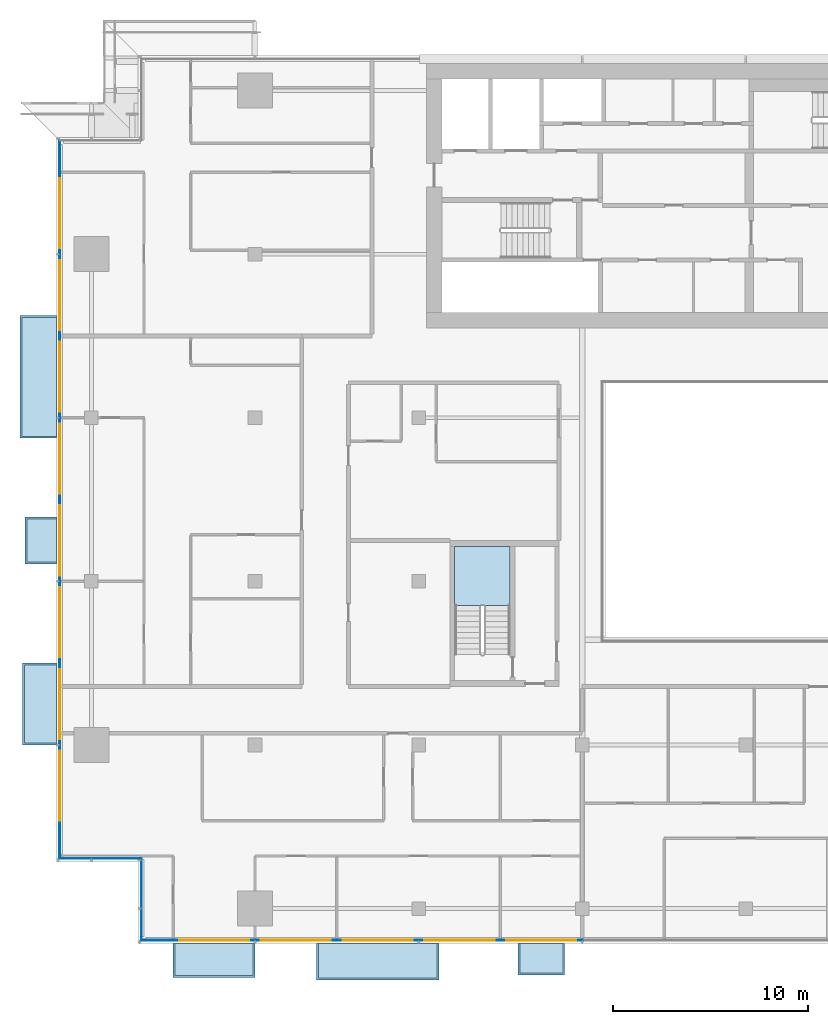
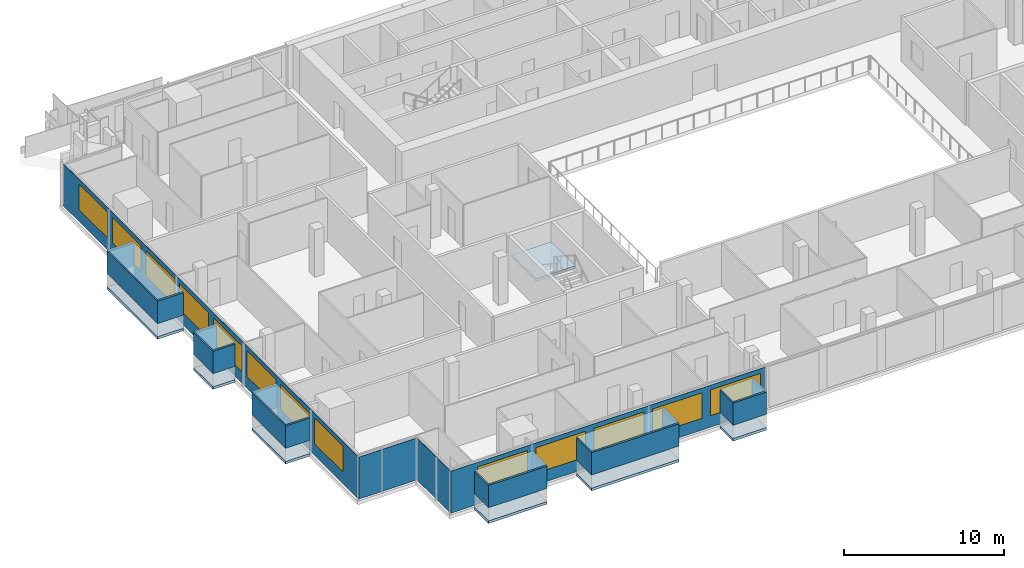
# One storey, part 14 of 30: 16 plates, 13 windows, 7 slabs, 13 openings, 5 elements without a shape of their own.
"""IFC4 building model written with IfcOpenShell, lengths in metres."""

from ifc_helpers import new_model, si_unit, direction, frame, frame_2d, origin, place, context, subcontext, project, spatial, polyline, rectangle, outline, extrude, material, layer, layer_set, type_object, element, fill, aggregate, save


model = new_model("IFC4")

# Units and contexts
model_context = context("Model", 3, precision=1e-05, world=origin(), true_north=direction((0.0, 1.0)))
body_context = subcontext(model_context, "Body", "Model", "MODEL_VIEW")
ifc_project = project(units=[si_unit("LENGTHUNIT", "METRE"), si_unit("AREAUNIT", "SQUARE_METRE"), si_unit("VOLUMEUNIT", "CUBIC_METRE"), si_unit("PLANEANGLEUNIT", "RADIAN"), si_unit("MASSUNIT", "GRAM", prefix="KILO")], contexts=[model_context])

# Site, building, storey
site_placement = place(None, origin())
site = spatial("IfcSite", under=ifc_project, at=site_placement, CompositionType="ELEMENT")
building_placement = place(site_placement, origin())
building = spatial("IfcBuilding", under=site, at=building_placement, Name="Saffron Gate Tower", CompositionType="ELEMENT")
storey_placement = place(building_placement, frame((0.0, 0.0, 158.25)))
storey = spatial("IfcBuildingStorey", under=building, at=storey_placement, Name="L38", CompositionType="ELEMENT", Elevation=158.25)

# Curtain wall, plate, openings, windows
ifc_material_1 = material(Name="Aluminium, bronze anodised", Category="aluminium")
curtain_wall_type_1 = type_object("IfcCurtainWallType", Name="CWS1 curtain wall front facade", PredefinedType="NOTDEFINED", material=ifc_material_1)
curtain_wall_1_placement = place(storey_placement, origin())
curtain_wall_1 = element("IfcCurtainWall", 1, at=curtain_wall_1_placement, inside=storey, type_object=curtain_wall_type_1, Name="CWS1 run 1", PredefinedType="NOTDEFINED")
ifc_material_2 = material(Name="Fritted bronze-tinted laminated glass", Category="glass")
ifc_layer_1 = layer(ifc_material_2, 0.028076171875)
ifc_layer_set_1 = layer_set([ifc_layer_1], Name="CWS1 fixed glass")
plate_type_1 = type_object("IfcPlateType", Name="CWS1 fixed glass", PredefinedType="CURTAIN_PANEL", material=ifc_layer_set_1)
plate_1_placement = place(storey_placement, frame((52.387939453125, 30.174072265625, 0.0), z_axis=(0.0, 0.0, 1.0), x_axis=(1.0, 0.0, 0.0)))
plate_1 = element("IfcPlate", 2, at=plate_1_placement, type_object=plate_type_1, Name="CWS1 glass panel", PredefinedType="CURTAIN_PANEL", context=body_context, shape_type="SweptSolid", body=[
    extrude(rectangle(XDim=22.64208984375, YDim=0.028076171875, at=frame_2d((11.321044921875, 0.0))), origin(), (0.0, 0.0, 1.0), 3.199951171875),
])
opening_1_placement = place(plate_1_placement, frame((1.912109375, 0.0, 0.89990234375)))
opening_1 = element("IfcOpeningElement", 3, at=opening_1_placement, cuts=plate_1, Name="Opening W1", PredefinedType="OPENING", context=body_context, shape_type="SweptSolid", body=[
    extrude(rectangle(XDim=3.60009765625, YDim=1.949951171875, at=frame_2d((1.800048828125, 0.97509765625))), frame((0.0, 0.02392578125, 0.0), z_axis=(0.0, -1.0, 0.0), x_axis=(1.0, 0.0, 0.0)), (0.0, 0.0, 1.0), 0.048095703125),
])
opening_2_placement = place(plate_1_placement, frame((6.112060546875, 0.0, 0.89990234375)))
opening_2 = element("IfcOpeningElement", 4, at=opening_2_placement, cuts=plate_1, Name="Opening W1", PredefinedType="OPENING", context=body_context, shape_type="SweptSolid", body=[
    extrude(rectangle(XDim=3.60009765625, YDim=1.949951171875, at=frame_2d((1.800048828125, 0.97509765625))), frame((0.0, 0.02392578125, 0.0), z_axis=(0.0, -1.0, 0.0), x_axis=(1.0, 0.0, 0.0)), (0.0, 0.0, 1.0), 0.048095703125),
])
opening_3_placement = place(plate_1_placement, frame((10.31201171875, 0.0, 0.89990234375)))
opening_3 = element("IfcOpeningElement", 5, at=opening_3_placement, cuts=plate_1, Name="Opening W1", PredefinedType="OPENING", context=body_context, shape_type="SweptSolid", body=[
    extrude(rectangle(XDim=3.60009765625, YDim=1.949951171875, at=frame_2d((1.800048828125, 0.97509765625))), frame((0.0, 0.02392578125, 0.0), z_axis=(0.0, -1.0, 0.0), x_axis=(1.0, 0.0, 0.0)), (0.0, 0.0, 1.0), 0.048095703125),
])
opening_4_placement = place(plate_1_placement, frame((14.511962890625, 0.0, 0.89990234375)))
opening_4 = element("IfcOpeningElement", 6, at=opening_4_placement, cuts=plate_1, Name="Opening W1", PredefinedType="OPENING", context=body_context, shape_type="SweptSolid", body=[
    extrude(rectangle(XDim=3.60009765625, YDim=1.949951171875, at=frame_2d((1.800048828125, 0.97509765625))), frame((0.0, 0.02392578125, 0.0), z_axis=(0.0, -1.0, 0.0), x_axis=(1.0, 0.0, 0.0)), (0.0, 0.0, 1.0), 0.048095703125),
])
opening_5_placement = place(plate_1_placement, frame((18.7119140625, 0.0, 0.89990234375)))
opening_5 = element("IfcOpeningElement", 7, at=opening_5_placement, cuts=plate_1, Name="Opening W1", PredefinedType="OPENING", context=body_context, shape_type="SweptSolid", body=[
    extrude(rectangle(XDim=3.60009765625, YDim=1.949951171875, at=frame_2d((1.800048828125, 0.97509765625))), frame((0.0, 0.02392578125, 0.0), z_axis=(0.0, -1.0, 0.0), x_axis=(1.0, 0.0, 0.0)), (0.0, 0.0, 1.0), 0.048095703125),
])
ifc_material_3 = material(Name="Fritted bronze-tinted laminated glass in bronze frame", Category="glass")
ifc_layer_2 = layer(ifc_material_3, 0.06005859375)
ifc_layer_set_2 = layer_set([ifc_layer_2], Name="W1 operable panel 3600x1950")
window_type = type_object("IfcWindowType", Name="W1 operable panel 3600x1950", PartitioningType="DOUBLE_PANEL_HORIZONTAL", PredefinedType="WINDOW", material=ifc_layer_set_2)
window_1_placement = place(opening_1_placement, origin())
window_1 = element("IfcWindow", 8, at=window_1_placement, type_object=window_type, Name="W1 operable panel", OverallHeight=1.949951171875, OverallWidth=3.60009765625, PartitioningType="SINGLE_PANEL", PredefinedType="WINDOW", context=body_context, shape_type="SweptSolid", body=[
    extrude(rectangle(XDim=3.60009765625, YDim=1.949951171875, at=frame_2d((1.800048828125, 0.97509765625))), frame((0.0, 0.013671875, 0.0), z_axis=(0.0, -1.0, 0.0), x_axis=(1.0, 0.0, 0.0)), (0.0, 0.0, 1.0), 0.027587890625),
])
fill(opening_1, window_1)
window_2_placement = place(opening_2_placement, origin())
window_2 = element("IfcWindow", 9, at=window_2_placement, type_object=window_type, Name="W1 operable panel", OverallHeight=1.949951171875, OverallWidth=3.60009765625, PartitioningType="SINGLE_PANEL", PredefinedType="WINDOW", context=body_context, shape_type="SweptSolid", body=[
    extrude(rectangle(XDim=3.60009765625, YDim=1.949951171875, at=frame_2d((1.800048828125, 0.97509765625))), frame((0.0, 0.013671875, 0.0), z_axis=(0.0, -1.0, 0.0), x_axis=(1.0, 0.0, 0.0)), (0.0, 0.0, 1.0), 0.027587890625),
])
fill(opening_2, window_2)
window_3_placement = place(opening_3_placement, origin())
window_3 = element("IfcWindow", 10, at=window_3_placement, type_object=window_type, Name="W1 operable panel", OverallHeight=1.949951171875, OverallWidth=3.60009765625, PartitioningType="SINGLE_PANEL", PredefinedType="WINDOW", context=body_context, shape_type="SweptSolid", body=[
    extrude(rectangle(XDim=3.60009765625, YDim=1.949951171875, at=frame_2d((1.800048828125, 0.97509765625))), frame((0.0, 0.013671875, 0.0), z_axis=(0.0, -1.0, 0.0), x_axis=(1.0, 0.0, 0.0)), (0.0, 0.0, 1.0), 0.027587890625),
])
fill(opening_3, window_3)
window_4_placement = place(opening_4_placement, origin())
window_4 = element("IfcWindow", 11, at=window_4_placement, type_object=window_type, Name="W1 operable panel", OverallHeight=1.949951171875, OverallWidth=3.60009765625, PartitioningType="SINGLE_PANEL", PredefinedType="WINDOW", context=body_context, shape_type="SweptSolid", body=[
    extrude(rectangle(XDim=3.60009765625, YDim=1.949951171875, at=frame_2d((1.800048828125, 0.97509765625))), frame((0.0, 0.013671875, 0.0), z_axis=(0.0, -1.0, 0.0), x_axis=(1.0, 0.0, 0.0)), (0.0, 0.0, 1.0), 0.027587890625),
])
fill(opening_4, window_4)
window_5_placement = place(opening_5_placement, origin())
window_5 = element("IfcWindow", 12, at=window_5_placement, type_object=window_type, Name="W1 operable panel", OverallHeight=1.949951171875, OverallWidth=3.60009765625, PartitioningType="SINGLE_PANEL", PredefinedType="WINDOW", context=body_context, shape_type="SweptSolid", body=[
    extrude(rectangle(XDim=3.60009765625, YDim=1.949951171875, at=frame_2d((1.800048828125, 0.97509765625))), frame((0.0, 0.013671875, 0.0), z_axis=(0.0, -1.0, 0.0), x_axis=(1.0, 0.0, 0.0)), (0.0, 0.0, 1.0), 0.027587890625),
])
fill(opening_5, window_5)
aggregate(curtain_wall_1, [plate_1, window_1, window_2, window_3, window_4, window_5])

curtain_wall_type_2 = type_object("IfcCurtainWallType", Name="CWS2 curtain wall side facades", PredefinedType="NOTDEFINED", material=ifc_material_1)
curtain_wall_2_placement = place(storey_placement, origin())
curtain_wall_2 = element("IfcCurtainWall", 13, at=curtain_wall_2_placement, inside=storey, type_object=curtain_wall_type_2, Name="CWS2 run 10", PredefinedType="NOTDEFINED")
ifc_layer_3 = layer(ifc_material_2, 0.028076171875)
ifc_layer_set_3 = layer_set([ifc_layer_3], Name="CWS2 fixed glass")
plate_type_2 = type_object("IfcPlateType", Name="CWS2 fixed glass", PredefinedType="CURTAIN_PANEL", material=ifc_layer_set_3)
plate_2_placement = place(storey_placement, frame((48.174072265625, 71.2119140625, 0.0), z_axis=(0.0, 0.0, 1.0), x_axis=(0.0, -1.0, 0.0)))
plate_2 = element("IfcPlate", 14, at=plate_2_placement, type_object=plate_type_2, Name="CWS2 glass panel", PredefinedType="CURTAIN_PANEL", context=body_context, shape_type="SweptSolid", body=[
    extrude(rectangle(XDim=36.823974609375, YDim=0.028076171875, at=frame_2d((18.412109375, 0.0))), origin(), (0.0, 0.0, 1.0), 3.199951171875),
])
opening_6_placement = place(plate_2_placement, frame((1.912109375, 0.0, 0.89990234375)))
opening_6 = element("IfcOpeningElement", 15, at=opening_6_placement, cuts=plate_2, Name="Opening W1", PredefinedType="OPENING", context=body_context, shape_type="SweptSolid", body=[
    extrude(rectangle(XDim=3.60009765625, YDim=1.949951171875, at=frame_2d((1.800048828125, 0.97509765625))), frame((0.0, 0.02392578125, 0.0), z_axis=(0.0, -1.0, 0.0), x_axis=(1.0, 0.0, 0.0)), (0.0, 0.0, 1.0), 0.048095703125),
])
opening_7_placement = place(plate_2_placement, frame((6.112060546875, 0.0, 0.89990234375)))
opening_7 = element("IfcOpeningElement", 16, at=opening_7_placement, cuts=plate_2, Name="Opening W1", PredefinedType="OPENING", context=body_context, shape_type="SweptSolid", body=[
    extrude(rectangle(XDim=3.60009765625, YDim=1.949951171875, at=frame_2d((1.800048828125, 0.97509765625))), frame((0.0, 0.02392578125, 0.0), z_axis=(0.0, -1.0, 0.0), x_axis=(1.0, 0.0, 0.0)), (0.0, 0.0, 1.0), 0.048095703125),
])
opening_8_placement = place(plate_2_placement, frame((10.31201171875, 0.0, 0.89990234375)))
opening_8 = element("IfcOpeningElement", 17, at=opening_8_placement, cuts=plate_2, Name="Opening W1", PredefinedType="OPENING", context=body_context, shape_type="SweptSolid", body=[
    extrude(rectangle(XDim=3.60009765625, YDim=1.949951171875, at=frame_2d((1.800048828125, 0.97509765625))), frame((0.0, 0.02392578125, 0.0), z_axis=(0.0, -1.0, 0.0), x_axis=(1.0, 0.0, 0.0)), (0.0, 0.0, 1.0), 0.048095703125),
])
opening_9_placement = place(plate_2_placement, frame((14.511962890625, 0.0, 0.89990234375)))
opening_9 = element("IfcOpeningElement", 18, at=opening_9_placement, cuts=plate_2, Name="Opening W1", PredefinedType="OPENING", context=body_context, shape_type="SweptSolid", body=[
    extrude(rectangle(XDim=3.60009765625, YDim=1.949951171875, at=frame_2d((1.800048828125, 0.97509765625))), frame((0.0, 0.02392578125, 0.0), z_axis=(0.0, -1.0, 0.0), x_axis=(1.0, 0.0, 0.0)), (0.0, 0.0, 1.0), 0.048095703125),
])
opening_10_placement = place(plate_2_placement, frame((18.7119140625, 0.0, 0.89990234375)))
opening_10 = element("IfcOpeningElement", 19, at=opening_10_placement, cuts=plate_2, Name="Opening W1", PredefinedType="OPENING", context=body_context, shape_type="SweptSolid", body=[
    extrude(rectangle(XDim=3.60009765625, YDim=1.949951171875, at=frame_2d((1.800048828125, 0.97509765625))), frame((0.0, 0.02392578125, 0.0), z_axis=(0.0, -1.0, 0.0), x_axis=(1.0, 0.0, 0.0)), (0.0, 0.0, 1.0), 0.048095703125),
])
opening_11_placement = place(plate_2_placement, frame((22.912109375, 0.0, 0.89990234375)))
opening_11 = element("IfcOpeningElement", 20, at=opening_11_placement, cuts=plate_2, Name="Opening W1", PredefinedType="OPENING", context=body_context, shape_type="SweptSolid", body=[
    extrude(rectangle(XDim=3.60009765625, YDim=1.949951171875, at=frame_2d((1.800048828125, 0.97509765625))), frame((0.0, 0.02392578125, 0.0), z_axis=(0.0, -1.0, 0.0), x_axis=(1.0, 0.0, 0.0)), (0.0, 0.0, 1.0), 0.048095703125),
])
opening_12_placement = place(plate_2_placement, frame((27.112060546875, 0.0, 0.89990234375)))
opening_12 = element("IfcOpeningElement", 21, at=opening_12_placement, cuts=plate_2, Name="Opening W1", PredefinedType="OPENING", context=body_context, shape_type="SweptSolid", body=[
    extrude(rectangle(XDim=3.60009765625, YDim=1.949951171875, at=frame_2d((1.800048828125, 0.97509765625))), frame((0.0, 0.02392578125, 0.0), z_axis=(0.0, -1.0, 0.0), x_axis=(1.0, 0.0, 0.0)), (0.0, 0.0, 1.0), 0.048095703125),
])
opening_13_placement = place(plate_2_placement, frame((31.31201171875, 0.0, 0.89990234375)))
opening_13 = element("IfcOpeningElement", 22, at=opening_13_placement, cuts=plate_2, Name="Opening W1", PredefinedType="OPENING", context=body_context, shape_type="SweptSolid", body=[
    extrude(rectangle(XDim=3.60009765625, YDim=1.949951171875, at=frame_2d((1.800048828125, 0.97509765625))), frame((0.0, 0.02392578125, 0.0), z_axis=(0.0, -1.0, 0.0), x_axis=(1.0, 0.0, 0.0)), (0.0, 0.0, 1.0), 0.048095703125),
])
window_6_placement = place(opening_6_placement, origin())
window_6 = element("IfcWindow", 23, at=window_6_placement, type_object=window_type, Name="W1 operable panel", OverallHeight=1.949951171875, OverallWidth=3.60009765625, PartitioningType="SINGLE_PANEL", PredefinedType="WINDOW", context=body_context, shape_type="SweptSolid", body=[
    extrude(rectangle(XDim=3.60009765625, YDim=1.949951171875, at=frame_2d((1.800048828125, 0.97509765625))), frame((0.0, 0.013671875, 0.0), z_axis=(0.0, -1.0, 0.0), x_axis=(1.0, 0.0, 0.0)), (0.0, 0.0, 1.0), 0.027587890625),
])
fill(opening_6, window_6)
window_7_placement = place(opening_7_placement, origin())
window_7 = element("IfcWindow", 24, at=window_7_placement, type_object=window_type, Name="W1 operable panel", OverallHeight=1.949951171875, OverallWidth=3.60009765625, PartitioningType="SINGLE_PANEL", PredefinedType="WINDOW", context=body_context, shape_type="SweptSolid", body=[
    extrude(rectangle(XDim=3.60009765625, YDim=1.949951171875, at=frame_2d((1.800048828125, 0.97509765625))), frame((0.0, 0.013671875, 0.0), z_axis=(0.0, -1.0, 0.0), x_axis=(1.0, 0.0, 0.0)), (0.0, 0.0, 1.0), 0.027587890625),
])
fill(opening_7, window_7)
window_8_placement = place(opening_8_placement, origin())
window_8 = element("IfcWindow", 25, at=window_8_placement, type_object=window_type, Name="W1 operable panel", OverallHeight=1.949951171875, OverallWidth=3.60009765625, PartitioningType="SINGLE_PANEL", PredefinedType="WINDOW", context=body_context, shape_type="SweptSolid", body=[
    extrude(rectangle(XDim=3.60009765625, YDim=1.949951171875, at=frame_2d((1.800048828125, 0.97509765625))), frame((0.0, 0.013671875, 0.0), z_axis=(0.0, -1.0, 0.0), x_axis=(1.0, 0.0, 0.0)), (0.0, 0.0, 1.0), 0.027587890625),
])
fill(opening_8, window_8)
window_9_placement = place(opening_9_placement, origin())
window_9 = element("IfcWindow", 26, at=window_9_placement, type_object=window_type, Name="W1 operable panel", OverallHeight=1.949951171875, OverallWidth=3.60009765625, PartitioningType="SINGLE_PANEL", PredefinedType="WINDOW", context=body_context, shape_type="SweptSolid", body=[
    extrude(rectangle(XDim=3.60009765625, YDim=1.949951171875, at=frame_2d((1.800048828125, 0.97509765625))), frame((0.0, 0.013671875, 0.0), z_axis=(0.0, -1.0, 0.0), x_axis=(1.0, 0.0, 0.0)), (0.0, 0.0, 1.0), 0.027587890625),
])
fill(opening_9, window_9)
window_10_placement = place(opening_10_placement, origin())
window_10 = element("IfcWindow", 27, at=window_10_placement, type_object=window_type, Name="W1 operable panel", OverallHeight=1.949951171875, OverallWidth=3.60009765625, PartitioningType="SINGLE_PANEL", PredefinedType="WINDOW", context=body_context, shape_type="SweptSolid", body=[
    extrude(rectangle(XDim=3.60009765625, YDim=1.949951171875, at=frame_2d((1.800048828125, 0.97509765625))), frame((0.0, 0.013671875, 0.0), z_axis=(0.0, -1.0, 0.0), x_axis=(1.0, 0.0, 0.0)), (0.0, 0.0, 1.0), 0.027587890625),
])
fill(opening_10, window_10)
window_11_placement = place(opening_11_placement, origin())
window_11 = element("IfcWindow", 28, at=window_11_placement, type_object=window_type, Name="W1 operable panel", OverallHeight=1.949951171875, OverallWidth=3.60009765625, PartitioningType="SINGLE_PANEL", PredefinedType="WINDOW", context=body_context, shape_type="SweptSolid", body=[
    extrude(rectangle(XDim=3.60009765625, YDim=1.949951171875, at=frame_2d((1.800048828125, 0.97509765625))), frame((0.0, 0.013671875, 0.0), z_axis=(0.0, -1.0, 0.0), x_axis=(1.0, 0.0, 0.0)), (0.0, 0.0, 1.0), 0.027587890625),
])
fill(opening_11, window_11)
window_12_placement = place(opening_12_placement, origin())
window_12 = element("IfcWindow", 29, at=window_12_placement, type_object=window_type, Name="W1 operable panel", OverallHeight=1.949951171875, OverallWidth=3.60009765625, PartitioningType="SINGLE_PANEL", PredefinedType="WINDOW", context=body_context, shape_type="SweptSolid", body=[
    extrude(rectangle(XDim=3.60009765625, YDim=1.949951171875, at=frame_2d((1.800048828125, 0.97509765625))), frame((0.0, 0.013671875, 0.0), z_axis=(0.0, -1.0, 0.0), x_axis=(1.0, 0.0, 0.0)), (0.0, 0.0, 1.0), 0.027587890625),
])
fill(opening_12, window_12)
window_13_placement = place(opening_13_placement, origin())
window_13 = element("IfcWindow", 30, at=window_13_placement, type_object=window_type, Name="W1 operable panel", OverallHeight=1.949951171875, OverallWidth=3.60009765625, PartitioningType="SINGLE_PANEL", PredefinedType="WINDOW", context=body_context, shape_type="SweptSolid", body=[
    extrude(rectangle(XDim=3.60009765625, YDim=1.949951171875, at=frame_2d((1.800048828125, 0.97509765625))), frame((0.0, 0.013671875, 0.0), z_axis=(0.0, -1.0, 0.0), x_axis=(1.0, 0.0, 0.0)), (0.0, 0.0, 1.0), 0.027587890625),
])
fill(opening_13, window_13)
aggregate(curtain_wall_2, [plate_2, window_6, window_7, window_8, window_9, window_10, window_11, window_12, window_13])

# Curtain wall, plate
curtain_wall_type_3 = type_object("IfcCurtainWallType", Name="CWS4 curtain wall corner returns", PredefinedType="NOTDEFINED", material=ifc_material_1)
curtain_wall_3_placement = place(storey_placement, origin())
curtain_wall_3 = element("IfcCurtainWall", 31, at=curtain_wall_3_placement, inside=storey, type_object=curtain_wall_type_3, Name="CWS4 run 11", PredefinedType="NOTDEFINED")
ifc_layer_4 = layer(ifc_material_2, 0.028076171875)
ifc_layer_set_4 = layer_set([ifc_layer_4], Name="CWS4 fixed glass")
plate_type_3 = type_object("IfcPlateType", Name="CWS4 fixed glass", PredefinedType="CURTAIN_PANEL", material=ifc_layer_set_4)
plate_3_placement = place(storey_placement, frame((48.18798828125, 34.3740234375, 0.0), z_axis=(0.0, 0.0, 1.0), x_axis=(1.0, 0.0, 0.0)))
plate_3 = element("IfcPlate", 32, at=plate_3_placement, type_object=plate_type_3, Name="CWS4 glass panel", PredefinedType="CURTAIN_PANEL", context=body_context, shape_type="SweptSolid", body=[
    extrude(rectangle(XDim=4.172119140625, YDim=0.028076171875, at=frame_2d((2.0859375, 0.0))), origin(), (0.0, 0.0, 1.0), 3.199951171875),
])
aggregate(curtain_wall_3, [plate_3])

curtain_wall_4_placement = place(storey_placement, origin())
curtain_wall_4 = element("IfcCurtainWall", 33, at=curtain_wall_4_placement, inside=storey, type_object=curtain_wall_type_3, Name="CWS4 run 12", PredefinedType="NOTDEFINED")
plate_4_placement = place(storey_placement, frame((52.3740234375, 34.360107421875, 0.0), z_axis=(0.0, 0.0, 1.0), x_axis=(0.0, -1.0, 0.0)))
plate_4 = element("IfcPlate", 34, at=plate_4_placement, type_object=plate_type_3, Name="CWS4 glass panel", PredefinedType="CURTAIN_PANEL", context=body_context, shape_type="SweptSolid", body=[
    extrude(rectangle(XDim=4.172119140625, YDim=0.028076171875, at=frame_2d((2.0859375, 0.0))), origin(), (0.0, 0.0, 1.0), 3.199951171875),
])
aggregate(curtain_wall_4, [plate_4])

# Stair, slab
ifc_material_4 = material(Name="Concrete C40", Category="concrete")
stair_type = type_object("IfcStairType", Name="ST7 Stair 1350 wide, 20 risers of 180", PredefinedType="HALF_TURN_STAIR", material=ifc_material_4)
stair_placement = place(storey_placement, origin())
stair = element("IfcStair", 35, at=stair_placement, inside=storey, type_object=stair_type, Name="L38 Exit stair D", PredefinedType="HALF_TURN_STAIR")
ifc_layer_5 = layer(ifc_material_4, 0.199951171875)
ifc_layer_set_5 = layer_set([ifc_layer_5], Name="SL1 Stair landing 200")
slab_type_1 = type_object("IfcSlabType", Name="SL1 Stair landing 200", PredefinedType="LANDING", material=ifc_layer_set_5)
slab_1_placement = place(storey_placement, frame((0.0, 0.0, 1.60009765625)))
slab_1 = element("IfcSlab", 36, at=slab_1_placement, type_object=slab_type_1, Name="ST-D landing 1", PredefinedType="LANDING", context=body_context, shape_type="SweptSolid", body=[
    extrude(outline(polyline([(71.300048828125, 47.3701171875), (71.300048828125, 50.39990234375), (68.449951171875, 50.39990234375), (68.449951171875, 47.3701171875), (71.300048828125, 47.3701171875)])), origin(), (0.0, 0.0, 1.0), 0.199951171875),
])
aggregate(stair, [slab_1])

# Slabs
ifc_material_5 = material(Name="Timber deck on bronze frame", Category="wood")
ifc_layer_6 = layer(ifc_material_5, 0.199951171875)
ifc_layer_set_6 = layer_set([ifc_layer_6], Name="WB1 box floor")
slab_type_2 = type_object("IfcSlabType", Name="WB1 box floor", PredefinedType="FLOOR", material=ifc_layer_set_6)
slab_2_placement = place(storey_placement, frame((0.0, 0.0, -0.199951171875)))
element("IfcSlab", 37, at=slab_2_placement, inside=storey, type_object=slab_type_2, Name="WINDOW BOX floor", PredefinedType="FLOOR", context=body_context, shape_type="SweptSolid", body=[
    extrude(outline(polyline([(54.0, 30.0), (58.199951171875, 30.0), (58.199951171875, 28.26708984375), (54.0, 28.26708984375), (54.0, 30.0)])), origin(), (0.0, 0.0, 1.0), 0.199951171875),
])
slab_3_placement = place(storey_placement, frame((0.0, 0.0, -0.199951171875)))
element("IfcSlab", 38, at=slab_3_placement, inside=storey, type_object=slab_type_2, Name="WINDOW BOX floor", PredefinedType="FLOOR", context=body_context, shape_type="SweptSolid", body=[
    extrude(outline(polyline([(61.35009765625, 30.0), (67.64990234375, 30.0), (67.64990234375, 28.133056640625), (61.35009765625, 28.133056640625), (61.35009765625, 30.0)])), origin(), (0.0, 0.0, 1.0), 0.199951171875),
])
slab_4_placement = place(storey_placement, frame((0.0, 0.0, -0.199951171875)))
element("IfcSlab", 39, at=slab_4_placement, inside=storey, type_object=slab_type_2, Name="WINDOW BOX floor", PredefinedType="FLOOR", context=body_context, shape_type="SweptSolid", body=[
    extrude(outline(polyline([(71.699951171875, 30.0), (74.10009765625, 30.0), (74.10009765625, 28.39990234375), (71.699951171875, 28.39990234375), (71.699951171875, 30.0)])), origin(), (0.0, 0.0, 1.0), 0.199951171875),
])
slab_5_placement = place(storey_placement, frame((0.0, 0.0, -0.199951171875)))
element("IfcSlab", 40, at=slab_5_placement, inside=storey, type_object=slab_type_2, Name="WINDOW BOX floor", PredefinedType="FLOOR", context=body_context, shape_type="SweptSolid", body=[
    extrude(outline(polyline([(48.0, 62.25), (48.0, 55.949951171875), (46.133056640625, 55.949951171875), (46.133056640625, 62.25), (48.0, 62.25)])), origin(), (0.0, 0.0, 1.0), 0.199951171875),
])
slab_6_placement = place(storey_placement, frame((0.0, 0.0, -0.199951171875)))
element("IfcSlab", 41, at=slab_6_placement, inside=storey, type_object=slab_type_2, Name="WINDOW BOX floor", PredefinedType="FLOOR", context=body_context, shape_type="SweptSolid", body=[
    extrude(outline(polyline([(48.0, 51.89990234375), (48.0, 49.5), (46.39990234375, 49.5), (46.39990234375, 51.89990234375), (48.0, 51.89990234375)])), origin(), (0.0, 0.0, 1.0), 0.199951171875),
])
slab_7_placement = place(storey_placement, frame((0.0, 0.0, -0.199951171875)))
element("IfcSlab", 42, at=slab_7_placement, inside=storey, type_object=slab_type_2, Name="WINDOW BOX floor", PredefinedType="FLOOR", context=body_context, shape_type="SweptSolid", body=[
    extrude(outline(polyline([(48.0, 44.39990234375), (48.0, 40.199951171875), (46.26708984375, 40.199951171875), (46.26708984375, 44.39990234375), (48.0, 44.39990234375)])), origin(), (0.0, 0.0, 1.0), 0.199951171875),
])

# Plates
ifc_layer_7 = layer(ifc_material_1, 0.1201171875)
ifc_layer_set_7 = layer_set([ifc_layer_7], Name="WB2 box roof")
plate_type_4 = type_object("IfcPlateType", Name="WB2 box roof", PredefinedType="SHEET", material=ifc_layer_set_7)
plate_5_placement = place(storey_placement, frame((0.0, 0.0, 2.699951171875)))
element("IfcPlate", 43, at=plate_5_placement, inside=storey, type_object=plate_type_4, Name="WINDOW BOX roof", PredefinedType="SHEET", context=body_context, shape_type="SweptSolid", body=[
    extrude(outline(polyline([(54.0, 30.0), (58.199951171875, 30.0), (58.199951171875, 28.26708984375), (54.0, 28.26708984375), (54.0, 30.0)])), origin(), (0.0, 0.0, 1.0), 0.1201171875),
])
plate_6_placement = place(storey_placement, frame((0.0, 0.0, 2.699951171875)))
element("IfcPlate", 44, at=plate_6_placement, inside=storey, type_object=plate_type_4, Name="WINDOW BOX roof", PredefinedType="SHEET", context=body_context, shape_type="SweptSolid", body=[
    extrude(outline(polyline([(61.35009765625, 30.0), (67.64990234375, 30.0), (67.64990234375, 28.133056640625), (61.35009765625, 28.133056640625), (61.35009765625, 30.0)])), origin(), (0.0, 0.0, 1.0), 0.1201171875),
])
plate_7_placement = place(storey_placement, frame((0.0, 0.0, 2.699951171875)))
element("IfcPlate", 45, at=plate_7_placement, inside=storey, type_object=plate_type_4, Name="WINDOW BOX roof", PredefinedType="SHEET", context=body_context, shape_type="SweptSolid", body=[
    extrude(outline(polyline([(71.699951171875, 30.0), (74.10009765625, 30.0), (74.10009765625, 28.39990234375), (71.699951171875, 28.39990234375), (71.699951171875, 30.0)])), origin(), (0.0, 0.0, 1.0), 0.1201171875),
])
plate_8_placement = place(storey_placement, frame((0.0, 0.0, 2.699951171875)))
element("IfcPlate", 46, at=plate_8_placement, inside=storey, type_object=plate_type_4, Name="WINDOW BOX roof", PredefinedType="SHEET", context=body_context, shape_type="SweptSolid", body=[
    extrude(outline(polyline([(48.0, 62.25), (48.0, 55.949951171875), (46.133056640625, 55.949951171875), (46.133056640625, 62.25), (48.0, 62.25)])), origin(), (0.0, 0.0, 1.0), 0.1201171875),
])
plate_9_placement = place(storey_placement, frame((0.0, 0.0, 2.699951171875)))
element("IfcPlate", 47, at=plate_9_placement, inside=storey, type_object=plate_type_4, Name="WINDOW BOX roof", PredefinedType="SHEET", context=body_context, shape_type="SweptSolid", body=[
    extrude(outline(polyline([(48.0, 51.89990234375), (48.0, 49.5), (46.39990234375, 49.5), (46.39990234375, 51.89990234375), (48.0, 51.89990234375)])), origin(), (0.0, 0.0, 1.0), 0.1201171875),
])
plate_10_placement = place(storey_placement, frame((0.0, 0.0, 2.699951171875)))
element("IfcPlate", 48, at=plate_10_placement, inside=storey, type_object=plate_type_4, Name="WINDOW BOX roof", PredefinedType="SHEET", context=body_context, shape_type="SweptSolid", body=[
    extrude(outline(polyline([(48.0, 44.39990234375), (48.0, 40.199951171875), (46.26708984375, 40.199951171875), (46.26708984375, 44.39990234375), (48.0, 44.39990234375)])), origin(), (0.0, 0.0, 1.0), 0.1201171875),
])
ifc_material_6 = material(Name="Clear low-iron laminated glass", Category="glass")
ifc_layer_8 = layer(ifc_material_6, 0.10009765625)
ifc_layer_set_8 = layer_set([ifc_layer_8], Name="WB6 box glazing")
plate_type_5 = type_object("IfcPlateType", Name="WB6 box glazing", PredefinedType="SHEET", material=ifc_layer_set_8)
plate_11_placement = place(storey_placement, frame((0.0, 0.0, 1.0)))
element("IfcPlate", 49, at=plate_11_placement, inside=storey, type_object=plate_type_5, Name="WINDOW BOX glazing", PredefinedType="SHEET", context=body_context, shape_type="SweptSolid", body=[
    extrude(outline(polyline([(54.0, 30.0), (54.10009765625, 30.0), (54.10009765625, 28.366943359375), (58.10009765625, 28.366943359375), (58.10009765625, 30.0), (58.199951171875, 30.0), (58.199951171875, 28.26708984375), (54.0, 28.26708984375), (54.0, 30.0)])), origin(), (0.0, 0.0, 1.0), 1.699951171875),
])
plate_12_placement = place(storey_placement, frame((0.0, 0.0, 1.0)))
element("IfcPlate", 50, at=plate_12_placement, inside=storey, type_object=plate_type_5, Name="WINDOW BOX glazing", PredefinedType="SHEET", context=body_context, shape_type="SweptSolid", body=[
    extrude(outline(polyline([(61.35009765625, 30.0), (61.449951171875, 30.0), (61.449951171875, 28.23291015625), (67.550048828125, 28.23291015625), (67.550048828125, 30.0), (67.64990234375, 30.0), (67.64990234375, 28.133056640625), (61.35009765625, 28.133056640625), (61.35009765625, 30.0)])), origin(), (0.0, 0.0, 1.0), 1.699951171875),
])
plate_13_placement = place(storey_placement, frame((0.0, 0.0, 1.0)))
element("IfcPlate", 51, at=plate_13_placement, inside=storey, type_object=plate_type_5, Name="WINDOW BOX glazing", PredefinedType="SHEET", context=body_context, shape_type="SweptSolid", body=[
    extrude(outline(polyline([(71.699951171875, 30.0), (71.800048828125, 30.0), (71.800048828125, 28.5), (74.0, 28.5), (74.0, 30.0), (74.10009765625, 30.0), (74.10009765625, 28.39990234375), (71.699951171875, 28.39990234375), (71.699951171875, 30.0)])), origin(), (0.0, 0.0, 1.0), 1.699951171875),
])
plate_14_placement = place(storey_placement, frame((0.0, 0.0, 1.0)))
element("IfcPlate", 52, at=plate_14_placement, inside=storey, type_object=plate_type_5, Name="WINDOW BOX glazing", PredefinedType="SHEET", context=body_context, shape_type="SweptSolid", body=[
    extrude(outline(polyline([(48.0, 62.25), (48.0, 62.14990234375), (46.23291015625, 62.14990234375), (46.23291015625, 56.050048828125), (48.0, 56.050048828125), (48.0, 55.949951171875), (46.133056640625, 55.949951171875), (46.133056640625, 62.25), (48.0, 62.25)])), origin(), (0.0, 0.0, 1.0), 1.699951171875),
])
plate_15_placement = place(storey_placement, frame((0.0, 0.0, 1.0)))
element("IfcPlate", 53, at=plate_15_placement, inside=storey, type_object=plate_type_5, Name="WINDOW BOX glazing", PredefinedType="SHEET", context=body_context, shape_type="SweptSolid", body=[
    extrude(outline(polyline([(48.0, 51.89990234375), (48.0, 51.800048828125), (46.5, 51.800048828125), (46.5, 49.60009765625), (48.0, 49.60009765625), (48.0, 49.5), (46.39990234375, 49.5), (46.39990234375, 51.89990234375), (48.0, 51.89990234375)])), origin(), (0.0, 0.0, 1.0), 1.699951171875),
])
plate_16_placement = place(storey_placement, frame((0.0, 0.0, 1.0)))
element("IfcPlate", 54, at=plate_16_placement, inside=storey, type_object=plate_type_5, Name="WINDOW BOX glazing", PredefinedType="SHEET", context=body_context, shape_type="SweptSolid", body=[
    extrude(outline(polyline([(48.0, 44.39990234375), (48.0, 44.300048828125), (46.366943359375, 44.300048828125), (46.366943359375, 40.300048828125), (48.0, 40.300048828125), (48.0, 40.199951171875), (46.26708984375, 40.199951171875), (46.26708984375, 44.39990234375), (48.0, 44.39990234375)])), origin(), (0.0, 0.0, 1.0), 1.699951171875),
])

save(model, "model.ifc")
